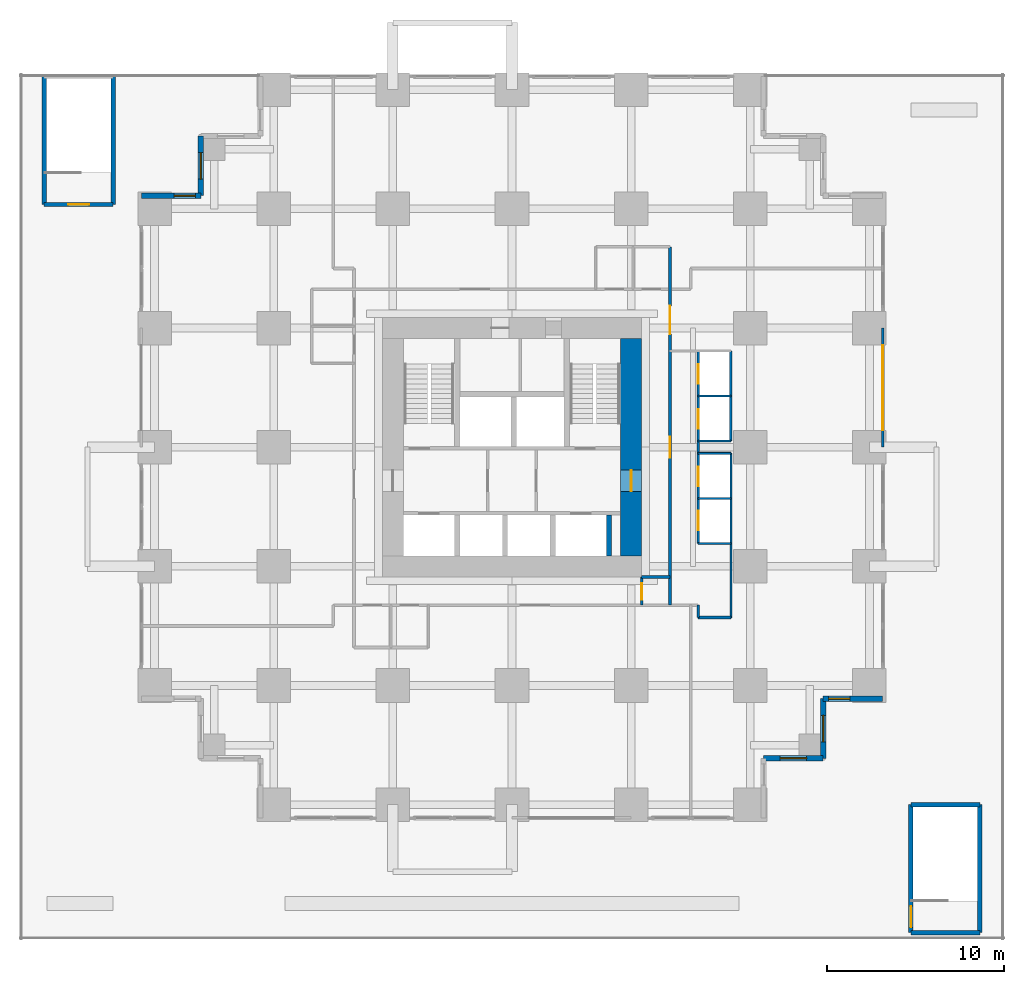
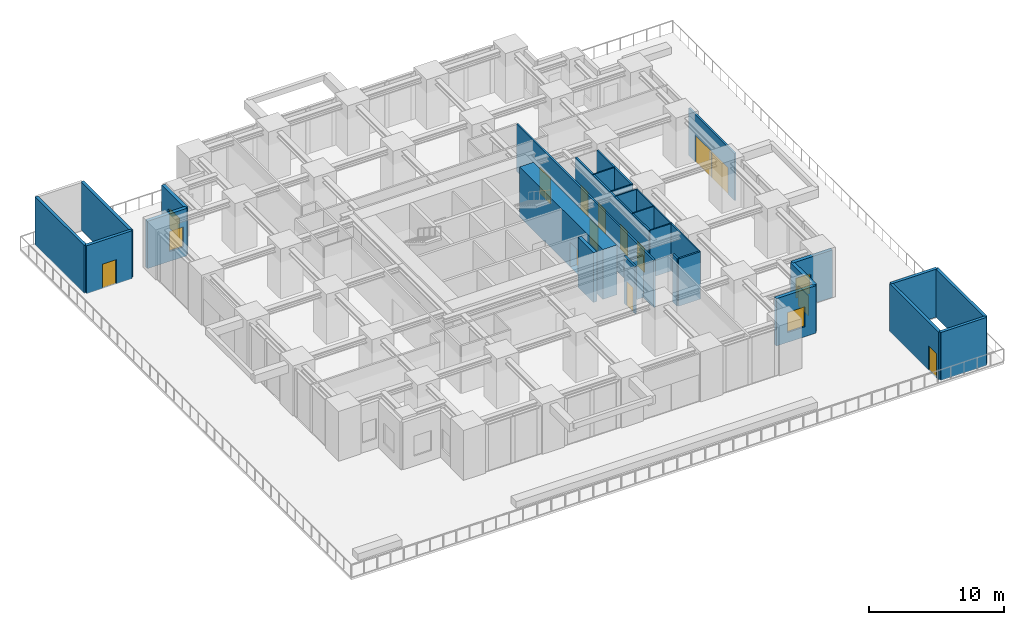
# One storey, part 6 of 9: 28 walls, 12 doors, 5 windows, 17 openings.
"""IFC4 building model written with IfcOpenShell, lengths in metres."""

from ifc_helpers import new_model, si_unit, direction, frame, frame_2d, origin, place, context, subcontext, project, spatial, rectangle, extrude, material, layer, layer_set, type_object, element, fill, save


model = new_model("IFC4")

# Units and contexts
model_context = context("Model", 3, precision=1e-05, world=origin(), true_north=direction((0.0, 1.0)))
body_context = subcontext(model_context, "Body", "Model", "MODEL_VIEW")
ifc_project = project(units=[si_unit("LENGTHUNIT", "METRE"), si_unit("AREAUNIT", "SQUARE_METRE"), si_unit("VOLUMEUNIT", "CUBIC_METRE"), si_unit("PLANEANGLEUNIT", "RADIAN"), si_unit("MASSUNIT", "GRAM", prefix="KILO")], contexts=[model_context])

# Site, building, storey
site_placement = place(None, origin())
site = spatial("IfcSite", under=ifc_project, at=site_placement, CompositionType="ELEMENT")
building_placement = place(site_placement, origin())
building = spatial("IfcBuilding", under=site, at=building_placement, Name="Nyansa Garden Tower", CompositionType="ELEMENT")
storey_placement = place(building_placement, frame((0.0, 0.0, 13.5)))
storey = spatial("IfcBuildingStorey", under=building, at=storey_placement, Name="L03", CompositionType="ELEMENT", Elevation=13.5)

# Wall, openings, doors
ifc_material_1 = material(Name="Black aluminium framed glazed screen", Category="aluminium")
ifc_layer_1 = layer(ifc_material_1, 0.14990234375)
ifc_layer_set_1 = layer_set([ifc_layer_1], Name="Balcony screen wall BW150")
wall_type_1 = type_object("IfcWallType", Name="Balcony screen wall BW150", PredefinedType="SOLIDWALL", material=ifc_layer_set_1)
wall_1_placement = place(storey_placement, frame((41.25, 27.0, 0.0), z_axis=(0.0, 0.0, 1.0), x_axis=(0.0, -1.0, 0.0)))
wall_1 = element("IfcWall", 1, at=wall_1_placement, inside=storey, type_object=wall_type_1, Name="Glazed screen wall L03 E", PredefinedType="SOLIDWALL", context=body_context, shape_type="SweptSolid", body=[
    extrude(rectangle(XDim=6.75, YDim=0.14990234375, at=frame_2d((3.375, 0.0))), origin(), (0.0, 0.0, 1.0), 4.27490234375),
])
opening_1_placement = place(wall_1_placement, frame((0.96240234375, 0.0, 0.0)))
opening_1 = element("IfcOpeningElement", 2, at=opening_1_placement, cuts=wall_1, Name="Opening D21", PredefinedType="OPENING", context=body_context, shape_type="SweptSolid", body=[
    extrude(rectangle(XDim=2.39990234375, YDim=2.39990234375, at=frame_2d((1.199951171875, 1.199951171875))), frame((0.0, 0.0849609375, 0.0), z_axis=(0.0, -1.0, 0.0), x_axis=(1.0, 0.0, 0.0)), (0.0, 0.0, 1.0), 0.169921875),
])
opening_2_placement = place(wall_1_placement, frame((3.387451171875, 0.0, 0.0)))
opening_2 = element("IfcOpeningElement", 3, at=opening_2_placement, cuts=wall_1, Name="Opening D21", PredefinedType="OPENING", context=body_context, shape_type="SweptSolid", body=[
    extrude(rectangle(XDim=2.39990234375, YDim=2.39990234375, at=frame_2d((1.199951171875, 1.199951171875))), frame((0.0, 0.0849609375, 0.0), z_axis=(0.0, -1.0, 0.0), x_axis=(1.0, 0.0, 0.0)), (0.0, 0.0, 1.0), 0.169921875),
])
ifc_material_2 = material(Name="Black aluminium framed glazed sliding door", Category="aluminium")
door_type_1 = type_object("IfcDoorType", Name="Terrace sliding door D21 2400x2400", OperationType="SLIDING_TO_LEFT", PredefinedType="DOOR", material=ifc_material_2)
door_1_placement = place(opening_1_placement, origin())
door_1 = element("IfcDoor", 4, at=door_1_placement, inside=storey, type_object=door_type_1, Name="Terrace door L03", OperationType="SLIDING_TO_LEFT", OverallHeight=2.39990234375, OverallWidth=2.39990234375, PredefinedType="DOOR", context=body_context, shape_type="SweptSolid", body=[
    extrude(rectangle(XDim=2.39990234375, YDim=2.39990234375, at=frame_2d((1.199951171875, 1.199951171875))), frame((0.0, 0.02490234375, 0.0), z_axis=(0.0, -1.0, 0.0), x_axis=(1.0, 0.0, 0.0)), (0.0, 0.0, 1.0), 0.050048828125),
])
fill(opening_1, door_1)
door_2_placement = place(opening_2_placement, origin())
door_2 = element("IfcDoor", 5, at=door_2_placement, inside=storey, type_object=door_type_1, Name="Terrace door L03", OperationType="SLIDING_TO_LEFT", OverallHeight=2.39990234375, OverallWidth=2.39990234375, PredefinedType="DOOR", context=body_context, shape_type="SweptSolid", body=[
    extrude(rectangle(XDim=2.39990234375, YDim=2.39990234375, at=frame_2d((1.199951171875, 1.199951171875))), frame((0.0, 0.02490234375, 0.0), z_axis=(0.0, -1.0, 0.0), x_axis=(1.0, 0.0, 0.0)), (0.0, 0.0, 1.0), 0.050048828125),
])
fill(opening_2, door_2)

# Wall
ifc_material_3 = material(Name="Concrete C70/85", Category="concrete")
ifc_layer_2 = layer(ifc_material_3, 0.300048828125)
ifc_layer_set_2 = layer_set([ifc_layer_2], Name="Core inner wall CI300")
wall_type_2 = type_object("IfcWallType", Name="Core inner wall CI300", PredefinedType="SHEAR", material=ifc_layer_set_2)
wall_2_placement = place(storey_placement, frame((25.75, 14.10009765625, 0.0), z_axis=(0.0, 0.0, 1.0), x_axis=(0.0, 1.0, 0.0)))
element("IfcWall", 6, at=wall_2_placement, inside=storey, type_object=wall_type_2, Name="Core inner wall L03", PredefinedType="SHEAR", context=body_context, shape_type="SweptSolid", body=[
    extrude(rectangle(XDim=2.2998046875, YDim=0.300048828125, at=frame_2d((1.14990234375, 0.0))), origin(), (0.0, 0.0, 1.0), 4.5),
])

# Wall, opening, door
ifc_material_4 = material(Name="Concrete C80/95", Category="concrete")
ifc_layer_3 = layer(ifc_material_4, 1.199951171875)
ifc_layer_set_3 = layer_set([ifc_layer_3], Name="Core wall CW1200")
wall_type_3 = type_object("IfcWallType", Name="Core wall CW1200", PredefinedType="SHEAR", material=ifc_layer_set_3)
wall_3_placement = place(storey_placement, frame((27.0, 14.10009765625, 0.0), z_axis=(0.0, 0.0, 1.0), x_axis=(0.0, 1.0, 0.0)))
wall_3 = element("IfcWall", 7, at=wall_3_placement, inside=storey, type_object=wall_type_3, Name="Core wall E L03", PredefinedType="SHEAR", context=body_context, shape_type="SweptSolid", body=[
    extrude(rectangle(XDim=12.2998046875, YDim=1.199951171875, at=frame_2d((6.14990234375, 0.0))), origin(), (0.0, 0.0, 1.0), 4.5),
])
opening_3_placement = place(wall_3_placement, frame((3.64990234375, 0.0, 0.0)))
opening_3 = element("IfcOpeningElement", 8, at=opening_3_placement, cuts=wall_3, Name="Opening D06", PredefinedType="OPENING", context=body_context, shape_type="SweptSolid", body=[
    extrude(rectangle(XDim=1.199951171875, YDim=2.199951171875, at=frame_2d((0.60009765625, 1.10009765625))), frame((0.0, 0.60986328125, 0.0), z_axis=(0.0, -1.0, 0.0), x_axis=(1.0, 0.0, 0.0)), (0.0, 0.0, 1.0), 1.219970703125),
])
ifc_material_5 = material(Name="Steel door, 120 minute fire resisting", Category="steel")
door_type_2 = type_object("IfcDoorType", Name="Lobby door D06 1200x2200", OperationType="DOUBLE_DOOR_SINGLE_SWING", PredefinedType="DOOR", material=ifc_material_5)
door_3_placement = place(opening_3_placement, origin())
door_3 = element("IfcDoor", 9, at=door_3_placement, inside=storey, type_object=door_type_2, Name="Lift lobby door east", OperationType="DOUBLE_DOOR_SINGLE_SWING", OverallHeight=2.199951171875, OverallWidth=1.199951171875, PredefinedType="DOOR", context=body_context, shape_type="SweptSolid", body=[
    extrude(rectangle(XDim=1.199951171875, YDim=2.199951171875, at=frame_2d((0.60009765625, 1.10009765625))), frame((0.0, 0.02490234375, 0.0), z_axis=(0.0, -1.0, 0.0), x_axis=(1.0, 0.0, 0.0)), (0.0, 0.0, 1.0), 0.050048828125),
])
fill(opening_3, door_3)

# Walls
ifc_material_6 = material(Name="Steel-stud shaft wall, two layers fire-rated board, EI 120", Category="steel")
ifc_layer_4 = layer(ifc_material_6, 0.10009765625)
ifc_layer_set_4 = layer_set([ifc_layer_4], Name="Lift shaft wall SW100")
wall_type_4 = type_object("IfcWallType", Name="Lift shaft wall SW100", PredefinedType="SHEAR", material=ifc_layer_set_4)
for number, where, z_axis, x_axis, name in (
    (10, (30.800048828125, 14.800048828125, 0.0), (0.0, 0.0, 1.0), (1.0, 0.0, 0.0), "Lift shaft wall"),
    (11, (30.800048828125, 17.35009765625, 0.0), (0.0, 0.0, 1.0), (1.0, 0.0, 0.0), "Lift shaft wall"),
    (12, (30.800048828125, 19.89990234375, 0.0), (0.0, 0.0, 1.0), (1.0, 0.0, 0.0), "Lift shaft wall"),
    (13, (30.800048828125, 20.60009765625, 0.0), (0.0, 0.0, 1.0), (1.0, 0.0, 0.0), "Lift shaft wall"),
    (14, (30.800048828125, 23.14990234375, 0.0), (0.0, 0.0, 1.0), (1.0, 0.0, 0.0), "Lift shaft wall"),
):
    element("IfcWall", number, at=place(storey_placement, frame(where, z_axis=z_axis, x_axis=x_axis)), inside=storey, type_object=wall_type_4, Name=name, PredefinedType="SHEAR", context=body_context, shape_type="SweptSolid", body=[
        extrude(rectangle(XDim=1.849853515625, YDim=0.10009765625, at=frame_2d((0.9248046875, 0.0))), origin(), (0.0, 0.0, 1.0), 4.27490234375),
    ])
wall_4_placement = place(storey_placement, frame((32.64990234375, 10.60009765625, 0.0), z_axis=(0.0, 0.0, 1.0), x_axis=(0.0, 1.0, 0.0)))
element("IfcWall", 15, at=wall_4_placement, inside=storey, type_object=wall_type_4, Name="Lift shaft wall", PredefinedType="SHEAR", context=body_context, shape_type="SweptSolid", body=[
    extrude(rectangle(XDim=9.2998046875, YDim=0.10009765625, at=frame_2d((4.64990234375, 0.0))), origin(), (0.0, 0.0, 1.0), 4.27490234375),
])

# Wall, opening, door
ifc_material_7 = material(Name="Blockwork, plastered both sides", Category="masonry")
ifc_layer_5 = layer(ifc_material_7, 0.14990234375)
ifc_layer_set_5 = layer_set([ifc_layer_5], Name="Partition PW150")
wall_type_5 = type_object("IfcWallType", Name="Partition PW150", PredefinedType="PARTITIONING", material=ifc_layer_set_5)
wall_5_placement = place(storey_placement, frame((27.60009765625, 11.300048828125, 0.0), z_axis=(0.0, 0.0, 1.0), x_axis=(0.0, 1.0, 0.0)))
wall_5 = element("IfcWall", 16, at=wall_5_placement, inside=storey, type_object=wall_type_5, Name="Partition", PredefinedType="PARTITIONING", context=body_context, shape_type="SweptSolid", body=[
    extrude(rectangle(XDim=1.599853515625, YDim=0.14990234375, at=frame_2d((0.7998046875, 0.0))), origin(), (0.0, 0.0, 1.0), 4.27490234375),
])
opening_4_placement = place(wall_5_placement, frame((0.300048828125, 0.0, 0.0)))
opening_4 = element("IfcOpeningElement", 17, at=opening_4_placement, cuts=wall_5, Name="Opening D01", PredefinedType="OPENING", context=body_context, shape_type="SweptSolid", body=[
    extrude(rectangle(XDim=0.949951171875, YDim=2.199951171875, at=frame_2d((0.47509765625, 1.10009765625))), frame((0.0, 0.0849609375, 0.0), z_axis=(0.0, -1.0, 0.0), x_axis=(1.0, 0.0, 0.0)), (0.0, 0.0, 1.0), 0.169921875),
])
ifc_material_8 = material(Name="Timber flush door, 30 minute fire resisting", Category="wood")
door_type_3 = type_object("IfcDoorType", Name="Bedroom door D01 950x2200", OperationType="SINGLE_SWING_LEFT", PredefinedType="DOOR", material=ifc_material_8)
door_4_placement = place(opening_4_placement, origin())
door_4 = element("IfcDoor", 18, at=door_4_placement, inside=storey, type_object=door_type_3, Name="Door L03-016", OperationType="SINGLE_SWING_LEFT", OverallHeight=2.199951171875, OverallWidth=0.949951171875, PredefinedType="DOOR", context=body_context, shape_type="SweptSolid", body=[
    extrude(rectangle(XDim=0.949951171875, YDim=2.199951171875, at=frame_2d((0.47509765625, 1.10009765625))), frame((0.0, 0.02490234375, 0.0), z_axis=(0.0, -1.0, 0.0), x_axis=(1.0, 0.0, 0.0)), (0.0, 0.0, 1.0), 0.050048828125),
])
fill(opening_4, door_4)

# Wall
wall_6_placement = place(storey_placement, frame((27.60009765625, 12.89990234375, 0.0), z_axis=(0.0, 0.0, 1.0), x_axis=(1.0, 0.0, 0.0)))
element("IfcWall", 19, at=wall_6_placement, inside=storey, type_object=wall_type_5, Name="Partition", PredefinedType="PARTITIONING", context=body_context, shape_type="SweptSolid", body=[
    extrude(rectangle(XDim=1.599853515625, YDim=0.14990234375, at=frame_2d((0.7998046875, 0.0))), origin(), (0.0, 0.0, 1.0), 3.777099609375),
])

# Wall, openings, doors
wall_7_placement = place(storey_placement, frame((29.199951171875, 11.300048828125, 0.0), z_axis=(0.0, 0.0, 1.0), x_axis=(0.0, 1.0, 0.0)))
wall_7 = element("IfcWall", 20, at=wall_7_placement, inside=storey, type_object=wall_type_5, Name="Partition", PredefinedType="PARTITIONING", context=body_context, shape_type="SweptSolid", body=[
    extrude(rectangle(XDim=20.300048828125, YDim=0.14990234375, at=frame_2d((10.14990234375, 0.0))), origin(), (0.0, 0.0, 1.0), 4.27490234375),
])
opening_5_placement = place(wall_7_placement, frame((15.35009765625, 0.0, 0.0)))
opening_5 = element("IfcOpeningElement", 21, at=opening_5_placement, cuts=wall_7, Name="Opening D12", PredefinedType="OPENING", context=body_context, shape_type="SweptSolid", body=[
    extrude(rectangle(XDim=1.60009765625, YDim=2.39990234375, at=frame_2d((0.800048828125, 1.199951171875))), frame((0.0, 0.0849609375, 0.0), z_axis=(0.0, -1.0, 0.0), x_axis=(1.0, 0.0, 0.0)), (0.0, 0.0, 1.0), 0.169921875),
])
opening_6_placement = place(wall_7_placement, frame((8.35009765625, 0.0, 0.0)))
opening_6 = element("IfcOpeningElement", 22, at=opening_6_placement, cuts=wall_7, Name="Opening D06", PredefinedType="OPENING", context=body_context, shape_type="SweptSolid", body=[
    extrude(rectangle(XDim=1.199951171875, YDim=2.199951171875, at=frame_2d((0.60009765625, 1.10009765625))), frame((0.0, 0.0849609375, 0.0), z_axis=(0.0, -1.0, 0.0), x_axis=(1.0, 0.0, 0.0)), (0.0, 0.0, 1.0), 0.169921875),
])
ifc_material_9 = material(Name="Black aluminium glazed door, 60 minute fire resisting", Category="aluminium")
door_type_4 = type_object("IfcDoorType", Name="Amenity door D12 1600x2400", OperationType="DOUBLE_DOOR_SINGLE_SWING", PredefinedType="DOOR", material=ifc_material_9)
door_5_placement = place(opening_5_placement, origin())
door_5 = element("IfcDoor", 23, at=door_5_placement, inside=storey, type_object=door_type_4, Name="Door L03-022", OperationType="DOUBLE_DOOR_SINGLE_SWING", OverallHeight=2.39990234375, OverallWidth=1.60009765625, PredefinedType="DOOR", context=body_context, shape_type="SweptSolid", body=[
    extrude(rectangle(XDim=1.60009765625, YDim=2.39990234375, at=frame_2d((0.800048828125, 1.199951171875))), frame((0.0, 0.02490234375, 0.0), z_axis=(0.0, -1.0, 0.0), x_axis=(1.0, 0.0, 0.0)), (0.0, 0.0, 1.0), 0.050048828125),
])
fill(opening_5, door_5)
door_6_placement = place(opening_6_placement, origin())
door_6 = element("IfcDoor", 24, at=door_6_placement, inside=storey, type_object=door_type_2, Name="Low-rise lift lobby door", OperationType="DOUBLE_DOOR_SINGLE_SWING", OverallHeight=2.199951171875, OverallWidth=1.199951171875, PredefinedType="DOOR", context=body_context, shape_type="SweptSolid", body=[
    extrude(rectangle(XDim=1.199951171875, YDim=2.199951171875, at=frame_2d((0.60009765625, 1.10009765625))), frame((0.0, 0.02490234375, 0.0), z_axis=(0.0, -1.0, 0.0), x_axis=(1.0, 0.0, 0.0)), (0.0, 0.0, 1.0), 0.050048828125),
])
fill(opening_6, door_6)

# Walls
wall_8_placement = place(storey_placement, frame((30.800048828125, 10.60009765625, 0.0), z_axis=(0.0, 0.0, 1.0), x_axis=(0.0, 1.0, 0.0)))
element("IfcWall", 25, at=wall_8_placement, inside=storey, type_object=wall_type_5, Name="Partition", PredefinedType="PARTITIONING", context=body_context, shape_type="SweptSolid", body=[
    extrude(rectangle(XDim=0.699951171875, YDim=0.14990234375, at=frame_2d((0.35009765625, 0.0))), origin(), (0.0, 0.0, 1.0), 4.27490234375),
])
wall_9_placement = place(storey_placement, frame((30.800048828125, 10.60009765625, 0.0), z_axis=(0.0, 0.0, 1.0), x_axis=(1.0, 0.0, 0.0)))
element("IfcWall", 26, at=wall_9_placement, inside=storey, type_object=wall_type_5, Name="Partition", PredefinedType="PARTITIONING", context=body_context, shape_type="SweptSolid", body=[
    extrude(rectangle(XDim=1.849853515625, YDim=0.14990234375, at=frame_2d((0.9248046875, 0.0))), origin(), (0.0, 0.0, 1.0), 4.27490234375),
])

# Wall, openings, doors
wall_10_placement = place(storey_placement, frame((30.800048828125, 14.800048828125, 0.0), z_axis=(0.0, 0.0, 1.0), x_axis=(0.0, 1.0, 0.0)))
wall_10 = element("IfcWall", 27, at=wall_10_placement, inside=storey, type_object=wall_type_5, Name="Partition", PredefinedType="PARTITIONING", context=body_context, shape_type="SweptSolid", body=[
    extrude(rectangle(XDim=10.89990234375, YDim=0.14990234375, at=frame_2d((5.449951171875, 0.0))), origin(), (0.0, 0.0, 1.0), 4.27490234375),
])
opening_7_placement = place(wall_10_placement, frame((0.75, 0.0, 0.0)))
opening_7 = element("IfcOpeningElement", 28, at=opening_7_placement, cuts=wall_10, Name="Opening LD-A", PredefinedType="OPENING", context=body_context, shape_type="SweptSolid", body=[
    extrude(rectangle(XDim=1.10009765625, YDim=2.199951171875, at=frame_2d((0.550048828125, 1.10009765625))), frame((0.0, 0.0849609375, 0.0), z_axis=(0.0, -1.0, 0.0), x_axis=(1.0, 0.0, 0.0)), (0.0, 0.0, 1.0), 0.169921875),
])
opening_8_placement = place(wall_10_placement, frame((3.25, 0.0, 0.0)))
opening_8 = element("IfcOpeningElement", 29, at=opening_8_placement, cuts=wall_10, Name="Opening LD-A", PredefinedType="OPENING", context=body_context, shape_type="SweptSolid", body=[
    extrude(rectangle(XDim=1.10009765625, YDim=2.199951171875, at=frame_2d((0.550048828125, 1.10009765625))), frame((0.0, 0.0849609375, 0.0), z_axis=(0.0, -1.0, 0.0), x_axis=(1.0, 0.0, 0.0)), (0.0, 0.0, 1.0), 0.169921875),
])
opening_9_placement = place(wall_10_placement, frame((6.5, 0.0, 0.0)))
opening_9 = element("IfcOpeningElement", 30, at=opening_9_placement, cuts=wall_10, Name="Opening LD-A", PredefinedType="OPENING", context=body_context, shape_type="SweptSolid", body=[
    extrude(rectangle(XDim=1.10009765625, YDim=2.199951171875, at=frame_2d((0.550048828125, 1.10009765625))), frame((0.0, 0.0849609375, 0.0), z_axis=(0.0, -1.0, 0.0), x_axis=(1.0, 0.0, 0.0)), (0.0, 0.0, 1.0), 0.169921875),
])
opening_10_placement = place(wall_10_placement, frame((9.050048828125, 0.0, 0.0)))
opening_10 = element("IfcOpeningElement", 31, at=opening_10_placement, cuts=wall_10, Name="Opening LD-A", PredefinedType="OPENING", context=body_context, shape_type="SweptSolid", body=[
    extrude(rectangle(XDim=1.10009765625, YDim=2.199951171875, at=frame_2d((0.550048828125, 1.10009765625))), frame((0.0, 0.0849609375, 0.0), z_axis=(0.0, -1.0, 0.0), x_axis=(1.0, 0.0, 0.0)), (0.0, 0.0, 1.0), 0.169921875),
])
ifc_material_10 = material(Name="Stainless steel centre-opening landing door of the low-rise lift, E 120", Category="steel")
door_type_5 = type_object("IfcDoorType", Name="Lift landing door LD-A 1100x2200", OperationType="DOUBLE_DOOR_SLIDING", PredefinedType="DOOR", material=ifc_material_10)
door_7_placement = place(opening_7_placement, origin())
door_7 = element("IfcDoor", 32, at=door_7_placement, inside=storey, type_object=door_type_5, Name="Landing door A1", OperationType="DOUBLE_DOOR_SLIDING", OverallHeight=2.199951171875, OverallWidth=1.10009765625, PredefinedType="DOOR", context=body_context, shape_type="SweptSolid", body=[
    extrude(rectangle(XDim=1.10009765625, YDim=2.199951171875, at=frame_2d((0.550048828125, 1.10009765625))), frame((0.0, 0.02490234375, 0.0), z_axis=(0.0, -1.0, 0.0), x_axis=(1.0, 0.0, 0.0)), (0.0, 0.0, 1.0), 0.050048828125),
])
fill(opening_7, door_7)
door_8_placement = place(opening_8_placement, origin())
door_8 = element("IfcDoor", 33, at=door_8_placement, inside=storey, type_object=door_type_5, Name="Landing door A2", OperationType="DOUBLE_DOOR_SLIDING", OverallHeight=2.199951171875, OverallWidth=1.10009765625, PredefinedType="DOOR", context=body_context, shape_type="SweptSolid", body=[
    extrude(rectangle(XDim=1.10009765625, YDim=2.199951171875, at=frame_2d((0.550048828125, 1.10009765625))), frame((0.0, 0.02490234375, 0.0), z_axis=(0.0, -1.0, 0.0), x_axis=(1.0, 0.0, 0.0)), (0.0, 0.0, 1.0), 0.050048828125),
])
fill(opening_8, door_8)
door_9_placement = place(opening_9_placement, origin())
door_9 = element("IfcDoor", 34, at=door_9_placement, inside=storey, type_object=door_type_5, Name="Landing door A3", OperationType="DOUBLE_DOOR_SLIDING", OverallHeight=2.199951171875, OverallWidth=1.10009765625, PredefinedType="DOOR", context=body_context, shape_type="SweptSolid", body=[
    extrude(rectangle(XDim=1.10009765625, YDim=2.199951171875, at=frame_2d((0.550048828125, 1.10009765625))), frame((0.0, 0.02490234375, 0.0), z_axis=(0.0, -1.0, 0.0), x_axis=(1.0, 0.0, 0.0)), (0.0, 0.0, 1.0), 0.050048828125),
])
fill(opening_9, door_9)
door_10_placement = place(opening_10_placement, origin())
door_10 = element("IfcDoor", 35, at=door_10_placement, inside=storey, type_object=door_type_5, Name="Landing door A4", OperationType="DOUBLE_DOOR_SLIDING", OverallHeight=2.199951171875, OverallWidth=1.10009765625, PredefinedType="DOOR", context=body_context, shape_type="SweptSolid", body=[
    extrude(rectangle(XDim=1.10009765625, YDim=2.199951171875, at=frame_2d((0.550048828125, 1.10009765625))), frame((0.0, 0.02490234375, 0.0), z_axis=(0.0, -1.0, 0.0), x_axis=(1.0, 0.0, 0.0)), (0.0, 0.0, 1.0), 0.050048828125),
])
fill(opening_10, door_10)

# Walls
wall_11_placement = place(storey_placement, frame((32.64990234375, 20.60009765625, 0.0), z_axis=(0.0, 0.0, 1.0), x_axis=(0.0, 1.0, 0.0)))
element("IfcWall", 36, at=wall_11_placement, inside=storey, type_object=wall_type_5, Name="Partition", PredefinedType="PARTITIONING", context=body_context, shape_type="SweptSolid", body=[
    extrude(rectangle(XDim=5.099853515625, YDim=0.14990234375, at=frame_2d((2.5498046875, 0.0))), origin(), (0.0, 0.0, 1.0), 4.27490234375),
])
ifc_material_11 = material(Name="Reinforced blockwork, 120 minute fire resisting", Category="masonry")
ifc_layer_6 = layer(ifc_material_11, 0.25)
ifc_layer_set_6 = layer_set([ifc_layer_6], Name="Stair enclosure wall SW250")
wall_type_6 = type_object("IfcWallType", Name="Stair enclosure wall SW250", PredefinedType="SOLIDWALL", material=ifc_layer_set_6)
wall_12_placement = place(storey_placement, frame((-6.25, 34.0, -0.06005859375), z_axis=(0.0, 0.0, 1.0), x_axis=(0.0, 1.0, 0.0)))
element("IfcWall", 37, at=wall_12_placement, inside=storey, type_object=wall_type_6, Name="Stair enclosure wall", PredefinedType="SOLIDWALL", context=body_context, shape_type="SweptSolid", body=[
    extrude(rectangle(XDim=7.25, YDim=0.25, at=frame_2d((3.625, 0.0))), origin(), (0.0, 0.0, 1.0), 4.3349609375),
])

# Wall, opening, door
wall_13_placement = place(storey_placement, frame((-6.25, 34.0, -0.06005859375), z_axis=(0.0, 0.0, 1.0), x_axis=(1.0, 0.0, 0.0)))
wall_13 = element("IfcWall", 38, at=wall_13_placement, inside=storey, type_object=wall_type_6, Name="Stair enclosure wall", PredefinedType="SOLIDWALL", context=body_context, shape_type="SweptSolid", body=[
    extrude(rectangle(XDim=3.89990234375, YDim=0.25, at=frame_2d((1.949951171875, 0.0))), origin(), (0.0, 0.0, 1.0), 4.3349609375),
])
opening_11_placement = place(wall_13_placement, frame((1.35009765625, 0.0, 0.0)))
opening_11 = element("IfcOpeningElement", 39, at=opening_11_placement, cuts=wall_13, Name="Opening D13", PredefinedType="OPENING", context=body_context, shape_type="SweptSolid", body=[
    extrude(rectangle(XDim=1.199951171875, YDim=2.199951171875, at=frame_2d((0.60009765625, 1.10009765625))), frame((0.0, 0.135009765625, 0.0), z_axis=(0.0, -1.0, 0.0), x_axis=(1.0, 0.0, 0.0)), (0.0, 0.0, 1.0), 0.27001953125),
])
ifc_material_12 = material(Name="Steel door, 60 minute fire resisting, panic bar", Category="steel")
door_type_6 = type_object("IfcDoorType", Name="Exit stair door D13 1200x2200", OperationType="SINGLE_SWING_LEFT", PredefinedType="DOOR", material=ifc_material_12)
door_11_placement = place(opening_11_placement, origin())
door_11 = element("IfcDoor", 40, at=door_11_placement, inside=storey, type_object=door_type_6, Name="Exit door to stair S3 from the terrace", OperationType="SINGLE_SWING_LEFT", OverallHeight=2.199951171875, OverallWidth=1.199951171875, PredefinedType="DOOR", context=body_context, shape_type="SweptSolid", body=[
    extrude(rectangle(XDim=1.199951171875, YDim=2.199951171875, at=frame_2d((0.60009765625, 1.10009765625))), frame((0.0, 0.02490234375, 0.0), z_axis=(0.0, -1.0, 0.0), x_axis=(1.0, 0.0, 0.0)), (0.0, 0.0, 1.0), 0.050048828125),
])
fill(opening_11, door_11)

# Wall
wall_14_placement = place(storey_placement, frame((-2.35009765625, 34.0, -0.06005859375), z_axis=(0.0, 0.0, 1.0), x_axis=(0.0, 1.0, 0.0)))
element("IfcWall", 41, at=wall_14_placement, inside=storey, type_object=wall_type_6, Name="Stair enclosure wall", PredefinedType="SOLIDWALL", context=body_context, shape_type="SweptSolid", body=[
    extrude(rectangle(XDim=7.25, YDim=0.25, at=frame_2d((3.625, 0.0))), origin(), (0.0, 0.0, 1.0), 4.3349609375),
])

# Wall, opening, door
wall_15_placement = place(storey_placement, frame((42.85009765625, -7.25, -0.06005859375), z_axis=(0.0, 0.0, 1.0), x_axis=(0.0, 1.0, 0.0)))
wall_15 = element("IfcWall", 42, at=wall_15_placement, inside=storey, type_object=wall_type_6, Name="Stair enclosure wall", PredefinedType="SOLIDWALL", context=body_context, shape_type="SweptSolid", body=[
    extrude(rectangle(XDim=7.25, YDim=0.25, at=frame_2d((3.625, 0.0))), origin(), (0.0, 0.0, 1.0), 4.3349609375),
])
opening_12_placement = place(wall_15_placement, frame((0.300048828125, 0.0, 0.0)))
opening_12 = element("IfcOpeningElement", 43, at=opening_12_placement, cuts=wall_15, Name="Opening D13", PredefinedType="OPENING", context=body_context, shape_type="SweptSolid", body=[
    extrude(rectangle(XDim=1.199951171875, YDim=2.199951171875, at=frame_2d((0.60009765625, 1.10009765625))), frame((0.0, 0.135009765625, 0.0), z_axis=(0.0, -1.0, 0.0), x_axis=(1.0, 0.0, 0.0)), (0.0, 0.0, 1.0), 0.27001953125),
])
door_12_placement = place(opening_12_placement, origin())
door_12 = element("IfcDoor", 44, at=door_12_placement, inside=storey, type_object=door_type_6, Name="Exit door to stair S4 from the terrace", OperationType="SINGLE_SWING_LEFT", OverallHeight=2.199951171875, OverallWidth=1.199951171875, PredefinedType="DOOR", context=body_context, shape_type="SweptSolid", body=[
    extrude(rectangle(XDim=1.199951171875, YDim=2.199951171875, at=frame_2d((0.60009765625, 1.10009765625))), frame((0.0, 0.02490234375, 0.0), z_axis=(0.0, -1.0, 0.0), x_axis=(1.0, 0.0, 0.0)), (0.0, 0.0, 1.0), 0.050048828125),
])
fill(opening_12, door_12)

# Walls
for number, where, z_axis, x_axis, name in (
    (45, (42.85009765625, -7.25, -0.06005859375), (0.0, 0.0, 1.0), (1.0, 0.0, 0.0), "Stair enclosure wall"),
    (46, (42.85009765625, 0.0, -0.06005859375), (0.0, 0.0, 1.0), (1.0, 0.0, 0.0), "Stair enclosure wall"),
):
    element("IfcWall", number, at=place(storey_placement, frame(where, z_axis=z_axis, x_axis=x_axis)), inside=storey, type_object=wall_type_6, Name=name, PredefinedType="SOLIDWALL", context=body_context, shape_type="SweptSolid", body=[
        extrude(rectangle(XDim=3.89990234375, YDim=0.25, at=frame_2d((1.949951171875, 0.0))), origin(), (0.0, 0.0, 1.0), 4.3349609375),
    ])
wall_16_placement = place(storey_placement, frame((46.75, -7.25, -0.06005859375), z_axis=(0.0, 0.0, 1.0), x_axis=(0.0, 1.0, 0.0)))
element("IfcWall", 47, at=wall_16_placement, inside=storey, type_object=wall_type_6, Name="Stair enclosure wall", PredefinedType="SOLIDWALL", context=body_context, shape_type="SweptSolid", body=[
    extrude(rectangle(XDim=7.25, YDim=0.25, at=frame_2d((3.625, 0.0))), origin(), (0.0, 0.0, 1.0), 4.3349609375),
])

# Wall, opening, window
ifc_material_13 = material(Name="Turquoise glazed tile on concrete blockwork", Category="masonry")
ifc_layer_7 = layer(ifc_material_13, 0.300048828125)
ifc_layer_set_7 = layer_set([ifc_layer_7], Name="Tiled corner wall TW300")
wall_type_7 = type_object("IfcWallType", Name="Tiled corner wall TW300", PredefinedType="SOLIDWALL", material=ifc_layer_set_7)
wall_17_placement = place(storey_placement, frame((2.625, 37.875, 0.0), z_axis=(0.0, 0.0, 1.0), x_axis=(0.0, -1.0, 0.0)))
wall_17 = element("IfcWall", 48, at=wall_17_placement, inside=storey, type_object=wall_type_7, Name="Tiled corner wall L03", PredefinedType="SOLIDWALL", context=body_context, shape_type="SweptSolid", body=[
    extrude(rectangle(XDim=3.375, YDim=0.300048828125, at=frame_2d((1.6875, 0.0))), origin(), (0.0, 0.0, 1.0), 4.27490234375),
])
opening_13_placement = place(wall_17_placement, frame((0.9375, 0.0, 0.89990234375)))
opening_13 = element("IfcOpeningElement", 49, at=opening_13_placement, cuts=wall_17, Name="Opening W1", PredefinedType="OPENING", context=body_context, shape_type="SweptSolid", body=[
    extrude(rectangle(XDim=1.5, YDim=1.800048828125, at=frame_2d((0.75, 0.89990234375))), frame((0.0, 0.159912109375, 0.0), z_axis=(0.0, -1.0, 0.0), x_axis=(1.0, 0.0, 0.0)), (0.0, 0.0, 1.0), 0.320068359375),
])
ifc_material_14 = material(Name="Black aluminium frame, dark tinted double glazing", Category="aluminium")
window_type_1 = type_object("IfcWindowType", Name="Window W1 1500x1800", PartitioningType="SINGLE_PANEL", PredefinedType="WINDOW", material=ifc_material_14)
window_1_placement = place(opening_13_placement, origin())
window_1 = element("IfcWindow", 50, at=window_1_placement, inside=storey, type_object=window_type_1, Name="Corner window L03", OverallHeight=1.800048828125, OverallWidth=1.5, PartitioningType="SINGLE_PANEL", PredefinedType="WINDOW", context=body_context, shape_type="SweptSolid", body=[
    extrude(rectangle(XDim=1.5, YDim=1.800048828125, at=frame_2d((0.75, 0.89990234375))), frame((0.0, 0.030029296875, 0.0), z_axis=(0.0, -1.0, 0.0), x_axis=(1.0, 0.0, 0.0)), (0.0, 0.0, 1.0), 0.06005859375),
])
fill(opening_13, window_1)

wall_18_placement = place(storey_placement, frame((2.625, 34.5, 0.0), z_axis=(0.0, 0.0, 1.0), x_axis=(-1.0, 0.0, 0.0)))
wall_18 = element("IfcWall", 51, at=wall_18_placement, inside=storey, type_object=wall_type_7, Name="Tiled corner wall L03", PredefinedType="SOLIDWALL", context=body_context, shape_type="SweptSolid", body=[
    extrude(rectangle(XDim=3.375, YDim=0.300048828125, at=frame_2d((1.6875, 0.0))), origin(), (0.0, 0.0, 1.0), 4.27490234375),
])
opening_14_placement = place(wall_18_placement, frame((0.3173828125, 0.0, 0.89990234375)))
opening_14 = element("IfcOpeningElement", 52, at=opening_14_placement, cuts=wall_18, Name="Opening W4", PredefinedType="OPENING", context=body_context, shape_type="SweptSolid", body=[
    extrude(rectangle(XDim=1.199951171875, YDim=1.800048828125, at=frame_2d((0.60009765625, 0.89990234375))), frame((0.0, 0.159912109375, 0.0), z_axis=(0.0, -1.0, 0.0), x_axis=(1.0, 0.0, 0.0)), (0.0, 0.0, 1.0), 0.320068359375),
])
ifc_material_15 = material(Name="Black aluminium frame, dark tinted double glazing", Category="aluminium")
window_type_2 = type_object("IfcWindowType", Name="Window W4 1200x1800", PartitioningType="SINGLE_PANEL", PredefinedType="WINDOW", material=ifc_material_15)
window_2_placement = place(opening_14_placement, origin())
window_2 = element("IfcWindow", 53, at=window_2_placement, inside=storey, type_object=window_type_2, Name="Corner window L03", OverallHeight=1.800048828125, OverallWidth=1.199951171875, PartitioningType="SINGLE_PANEL", PredefinedType="WINDOW", context=body_context, shape_type="SweptSolid", body=[
    extrude(rectangle(XDim=1.199951171875, YDim=1.800048828125, at=frame_2d((0.60009765625, 0.89990234375))), frame((0.0, 0.030029296875, 0.0), z_axis=(0.0, -1.0, 0.0), x_axis=(1.0, 0.0, 0.0)), (0.0, 0.0, 1.0), 0.06005859375),
])
fill(opening_14, window_2)

wall_19_placement = place(storey_placement, frame((34.5, 2.625, 0.0), z_axis=(0.0, 0.0, 1.0), x_axis=(1.0, 0.0, 0.0)))
wall_19 = element("IfcWall", 54, at=wall_19_placement, inside=storey, type_object=wall_type_7, Name="Tiled corner wall L03", PredefinedType="SOLIDWALL", context=body_context, shape_type="SweptSolid", body=[
    extrude(rectangle(XDim=3.375, YDim=0.300048828125, at=frame_2d((1.6875, 0.0))), origin(), (0.0, 0.0, 1.0), 4.27490234375),
])
opening_15_placement = place(wall_19_placement, frame((0.9375, 0.0, 0.89990234375)))
opening_15 = element("IfcOpeningElement", 55, at=opening_15_placement, cuts=wall_19, Name="Opening W1", PredefinedType="OPENING", context=body_context, shape_type="SweptSolid", body=[
    extrude(rectangle(XDim=1.5, YDim=1.800048828125, at=frame_2d((0.75, 0.89990234375))), frame((0.0, 0.159912109375, 0.0), z_axis=(0.0, -1.0, 0.0), x_axis=(1.0, 0.0, 0.0)), (0.0, 0.0, 1.0), 0.320068359375),
])
window_3_placement = place(opening_15_placement, origin())
window_3 = element("IfcWindow", 56, at=window_3_placement, inside=storey, type_object=window_type_1, Name="Corner window L03", OverallHeight=1.800048828125, OverallWidth=1.5, PartitioningType="SINGLE_PANEL", PredefinedType="WINDOW", context=body_context, shape_type="SweptSolid", body=[
    extrude(rectangle(XDim=1.5, YDim=1.800048828125, at=frame_2d((0.75, 0.89990234375))), frame((0.0, 0.030029296875, 0.0), z_axis=(0.0, -1.0, 0.0), x_axis=(1.0, 0.0, 0.0)), (0.0, 0.0, 1.0), 0.06005859375),
])
fill(opening_15, window_3)

wall_20_placement = place(storey_placement, frame((37.875, 2.625, 0.0), z_axis=(0.0, 0.0, 1.0), x_axis=(0.0, 1.0, 0.0)))
wall_20 = element("IfcWall", 57, at=wall_20_placement, inside=storey, type_object=wall_type_7, Name="Tiled corner wall L03", PredefinedType="SOLIDWALL", context=body_context, shape_type="SweptSolid", body=[
    extrude(rectangle(XDim=3.375, YDim=0.300048828125, at=frame_2d((1.6875, 0.0))), origin(), (0.0, 0.0, 1.0), 4.27490234375),
])
opening_16_placement = place(wall_20_placement, frame((0.9375, 0.0, 0.89990234375)))
opening_16 = element("IfcOpeningElement", 58, at=opening_16_placement, cuts=wall_20, Name="Opening W1", PredefinedType="OPENING", context=body_context, shape_type="SweptSolid", body=[
    extrude(rectangle(XDim=1.5, YDim=1.800048828125, at=frame_2d((0.75, 0.89990234375))), frame((0.0, 0.159912109375, 0.0), z_axis=(0.0, -1.0, 0.0), x_axis=(1.0, 0.0, 0.0)), (0.0, 0.0, 1.0), 0.320068359375),
])
window_4_placement = place(opening_16_placement, origin())
window_4 = element("IfcWindow", 59, at=window_4_placement, inside=storey, type_object=window_type_1, Name="Corner window L03", OverallHeight=1.800048828125, OverallWidth=1.5, PartitioningType="SINGLE_PANEL", PredefinedType="WINDOW", context=body_context, shape_type="SweptSolid", body=[
    extrude(rectangle(XDim=1.5, YDim=1.800048828125, at=frame_2d((0.75, 0.89990234375))), frame((0.0, 0.030029296875, 0.0), z_axis=(0.0, -1.0, 0.0), x_axis=(1.0, 0.0, 0.0)), (0.0, 0.0, 1.0), 0.06005859375),
])
fill(opening_16, window_4)

wall_21_placement = place(storey_placement, frame((37.875, 6.0, 0.0), z_axis=(0.0, 0.0, 1.0), x_axis=(1.0, 0.0, 0.0)))
wall_21 = element("IfcWall", 60, at=wall_21_placement, inside=storey, type_object=wall_type_7, Name="Tiled corner wall L03", PredefinedType="SOLIDWALL", context=body_context, shape_type="SweptSolid", body=[
    extrude(rectangle(XDim=3.375, YDim=0.300048828125, at=frame_2d((1.6875, 0.0))), origin(), (0.0, 0.0, 1.0), 4.27490234375),
])
opening_17_placement = place(wall_21_placement, frame((0.3173828125, 0.0, 0.89990234375)))
opening_17 = element("IfcOpeningElement", 61, at=opening_17_placement, cuts=wall_21, Name="Opening W4", PredefinedType="OPENING", context=body_context, shape_type="SweptSolid", body=[
    extrude(rectangle(XDim=1.199951171875, YDim=1.800048828125, at=frame_2d((0.60009765625, 0.89990234375))), frame((0.0, 0.159912109375, 0.0), z_axis=(0.0, -1.0, 0.0), x_axis=(1.0, 0.0, 0.0)), (0.0, 0.0, 1.0), 0.320068359375),
])
window_5_placement = place(opening_17_placement, origin())
window_5 = element("IfcWindow", 62, at=window_5_placement, inside=storey, type_object=window_type_2, Name="Corner window L03", OverallHeight=1.800048828125, OverallWidth=1.199951171875, PartitioningType="SINGLE_PANEL", PredefinedType="WINDOW", context=body_context, shape_type="SweptSolid", body=[
    extrude(rectangle(XDim=1.199951171875, YDim=1.800048828125, at=frame_2d((0.60009765625, 0.89990234375))), frame((0.0, 0.030029296875, 0.0), z_axis=(0.0, -1.0, 0.0), x_axis=(1.0, 0.0, 0.0)), (0.0, 0.0, 1.0), 0.06005859375),
])
fill(opening_17, window_5)

save(model, "model.ifc")
